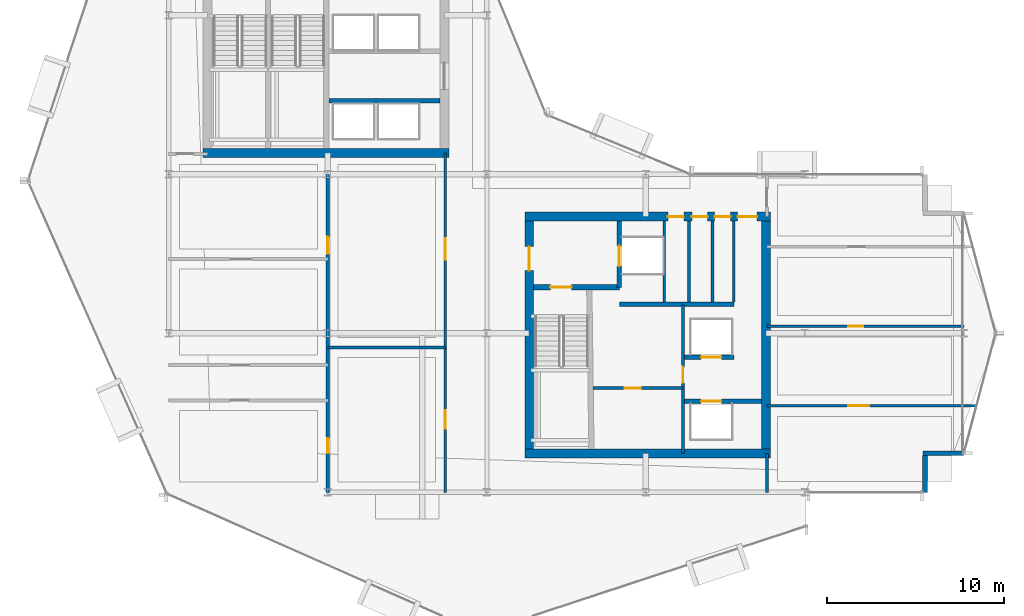
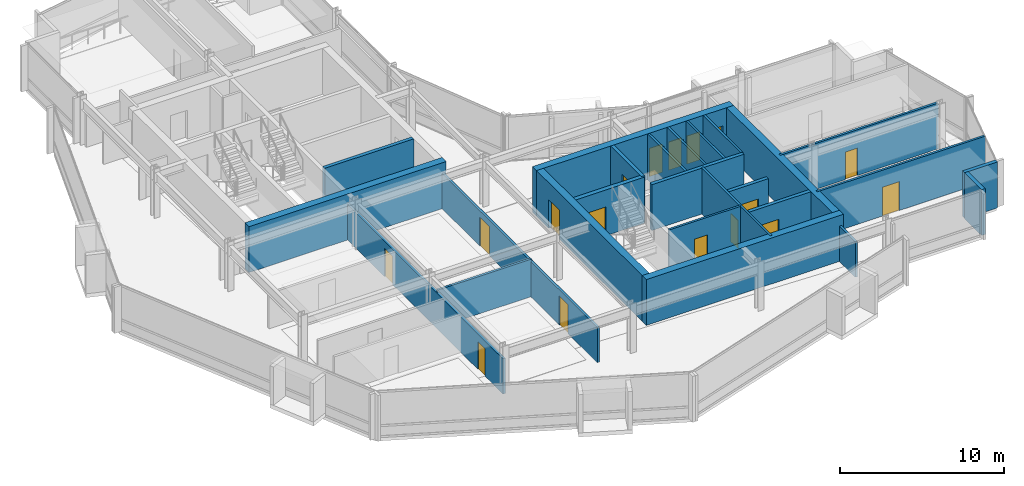
# One storey, part 22 of 29: 25 walls, 17 doors, 17 openings.
"""IFC4 building model written with IfcOpenShell, lengths in metres."""

from ifc_helpers import new_model, si_unit, direction, frame, frame_2d, origin, place, context, subcontext, project, spatial, rectangle, extrude, material, layer, layer_set, type_object, element, fill, save


model = new_model("IFC4")

# Units and contexts
model_context = context("Model", 3, precision=1e-05, world=origin(), true_north=direction((0.0, 1.0)))
body_context = subcontext(model_context, "Body", "Model", "MODEL_VIEW")
ifc_project = project(units=[si_unit("LENGTHUNIT", "METRE"), si_unit("AREAUNIT", "SQUARE_METRE"), si_unit("VOLUMEUNIT", "CUBIC_METRE"), si_unit("PLANEANGLEUNIT", "RADIAN"), si_unit("MASSUNIT", "GRAM", prefix="KILO")], contexts=[model_context])

# Site, building, storey
site_placement = place(None, origin())
site = spatial("IfcSite", under=ifc_project, at=site_placement, CompositionType="ELEMENT")
building_placement = place(site_placement, origin())
building = spatial("IfcBuilding", under=site, at=building_placement, Name="Solvaryn Broadcast Tower", CompositionType="ELEMENT")
storey_placement = place(building_placement, frame((0.0, 0.0, 147.0)))
storey = spatial("IfcBuildingStorey", under=building, at=storey_placement, Name="L36", CompositionType="ELEMENT", Elevation=147.0)

# Walls
ifc_material_1 = material(Name="Concrete f'c 70 MPa", Category="concrete")
ifc_layer_1 = layer(ifc_material_1, 0.5)
ifc_layer_set_1 = layer_set([ifc_layer_1], Name="CW-SHEAR-500")
wall_type_1 = type_object("IfcWallType", Name="CW-SHEAR-500", PredefinedType="SHEAR", material=ifc_layer_set_1)
for number, where, z_axis, x_axis, name in (
    (1, (10.949951171875, 28.199951171875, 0.0), (0.0, 0.0, 1.0), (1.0, 0.0, 0.0), "L36 West Core South Shear Wall"),
    (2, (29.14990234375, 11.199951171875, 0.0), (0.0, 0.0, 1.0), (1.0, 0.0, 0.0), "L36 East Core South Shear Wall"),
):
    element("IfcWall", number, at=place(storey_placement, frame(where, z_axis=z_axis, x_axis=x_axis)), inside=storey, type_object=wall_type_1, Name=name, PredefinedType="SHEAR", context=body_context, shape_type="SweptSolid", body=[
        extrude(rectangle(XDim=13.900146484375, YDim=0.5, at=frame_2d((6.9501953125, 0.0))), origin(), (0.0, 0.0, 1.0), 3.419921875),
    ])

# Wall, openings, doors
wall_1_placement = place(storey_placement, frame((43.050048828125, 24.60009765625, 0.0), z_axis=(0.0, 0.0, 1.0), x_axis=(-1.0, 0.0, 0.0)))
wall_1 = element("IfcWall", 3, at=wall_1_placement, inside=storey, type_object=wall_type_1, Name="L36 East Core North Shear Wall", PredefinedType="SHEAR", context=body_context, shape_type="SweptSolid", body=[
    extrude(rectangle(XDim=13.900146484375, YDim=0.5, at=frame_2d((6.9501953125, 0.0))), origin(), (0.0, 0.0, 1.0), 3.419921875),
])
opening_1_placement = place(wall_1_placement, frame((0.75, 0.0, 0.0)))
opening_1 = element("IfcOpeningElement", 4, at=opening_1_placement, cuts=wall_1, Name="Opening FD90C", PredefinedType="OPENING", context=body_context, shape_type="SweptSolid", body=[
    extrude(rectangle(XDim=1.10009765625, YDim=2.14990234375, at=frame_2d((0.550048828125, 1.074951171875))), frame((0.0, 0.260009765625, 0.0), z_axis=(0.0, -1.0, 0.0), x_axis=(1.0, 0.0, 0.0)), (0.0, 0.0, 1.0), 0.52001953125),
])
opening_2_placement = place(wall_1_placement, frame((2.25, 0.0, 0.0)))
opening_2 = element("IfcOpeningElement", 5, at=opening_2_placement, cuts=wall_1, Name="Opening FD60C", PredefinedType="OPENING", context=body_context, shape_type="SweptSolid", body=[
    extrude(rectangle(XDim=0.89990234375, YDim=2.10009765625, at=frame_2d((0.449951171875, 1.050048828125))), frame((0.0, 0.260009765625, 0.0), z_axis=(0.0, -1.0, 0.0), x_axis=(1.0, 0.0, 0.0)), (0.0, 0.0, 1.0), 0.52001953125),
])
opening_3_placement = place(wall_1_placement, frame((3.550048828125, 0.0, 0.0)))
opening_3 = element("IfcOpeningElement", 6, at=opening_3_placement, cuts=wall_1, Name="Opening FD60C", PredefinedType="OPENING", context=body_context, shape_type="SweptSolid", body=[
    extrude(rectangle(XDim=0.89990234375, YDim=2.10009765625, at=frame_2d((0.449951171875, 1.050048828125))), frame((0.0, 0.260009765625, 0.0), z_axis=(0.0, -1.0, 0.0), x_axis=(1.0, 0.0, 0.0)), (0.0, 0.0, 1.0), 0.52001953125),
])
opening_4_placement = place(wall_1_placement, frame((4.89990234375, 0.0, 0.0)))
opening_4 = element("IfcOpeningElement", 7, at=opening_4_placement, cuts=wall_1, Name="Opening FD60C", PredefinedType="OPENING", context=body_context, shape_type="SweptSolid", body=[
    extrude(rectangle(XDim=0.89990234375, YDim=2.10009765625, at=frame_2d((0.449951171875, 1.050048828125))), frame((0.0, 0.260009765625, 0.0), z_axis=(0.0, -1.0, 0.0), x_axis=(1.0, 0.0, 0.0)), (0.0, 0.0, 1.0), 0.52001953125),
])
ifc_material_2 = material(Name="Flush Acoustic Steel and Timber Door Assembly", Category="steel")
door_type_1 = type_object("IfcDoorType", Name="FD60-SERV-900X2100", OperationType="NOTDEFINED", PredefinedType="DOOR", material=ifc_material_2)
door_1_placement = place(opening_2_placement, origin())
door_1 = element("IfcDoor", 8, at=door_1_placement, inside=storey, type_object=door_type_1, Name="L36 Core Wellness Room Door", OperationType="SINGLE_SWING_RIGHT", OverallHeight=2.10009765625, OverallWidth=0.89990234375, PredefinedType="DOOR", context=body_context, shape_type="SweptSolid", body=[
    extrude(rectangle(XDim=0.89990234375, YDim=2.10009765625, at=frame_2d((0.449951171875, 1.050048828125))), frame((0.0, 0.02490234375, 0.0), z_axis=(0.0, -1.0, 0.0), x_axis=(1.0, 0.0, 0.0)), (0.0, 0.0, 1.0), 0.050048828125),
])
fill(opening_2, door_1)
door_2_placement = place(opening_3_placement, origin())
door_2 = element("IfcDoor", 9, at=door_2_placement, inside=storey, type_object=door_type_1, Name="L36 Staff Restroom Door", OperationType="SINGLE_SWING_LEFT", OverallHeight=2.10009765625, OverallWidth=0.89990234375, PredefinedType="DOOR", context=body_context, shape_type="SweptSolid", body=[
    extrude(rectangle(XDim=0.89990234375, YDim=2.10009765625, at=frame_2d((0.449951171875, 1.050048828125))), frame((0.0, 0.02490234375, 0.0), z_axis=(0.0, -1.0, 0.0), x_axis=(1.0, 0.0, 0.0)), (0.0, 0.0, 1.0), 0.050048828125),
])
fill(opening_3, door_2)
door_3_placement = place(opening_4_placement, origin())
door_3 = element("IfcDoor", 10, at=door_3_placement, inside=storey, type_object=door_type_1, Name="L36 Accessible WC Door", OperationType="SINGLE_SWING_RIGHT", OverallHeight=2.10009765625, OverallWidth=0.89990234375, PredefinedType="DOOR", context=body_context, shape_type="SweptSolid", body=[
    extrude(rectangle(XDim=0.89990234375, YDim=2.10009765625, at=frame_2d((0.449951171875, 1.050048828125))), frame((0.0, 0.02490234375, 0.0), z_axis=(0.0, -1.0, 0.0), x_axis=(1.0, 0.0, 0.0)), (0.0, 0.0, 1.0), 0.050048828125),
])
fill(opening_4, door_3)
ifc_material_3 = material(Name="Flush Acoustic Steel and Timber Door Assembly", Category="steel")
door_type_2 = type_object("IfcDoorType", Name="FD90-PLANT-1100X2150", OperationType="NOTDEFINED", PredefinedType="DOOR", material=ifc_material_3)
door_4_placement = place(opening_1_placement, origin())
door_4 = element("IfcDoor", 11, at=door_4_placement, inside=storey, type_object=door_type_2, Name="L36 East Core Lobby Corridor Door", OperationType="SINGLE_SWING_LEFT", OverallHeight=2.14990234375, OverallWidth=1.10009765625, PredefinedType="DOOR", context=body_context, shape_type="SweptSolid", body=[
    extrude(rectangle(XDim=1.10009765625, YDim=2.14990234375, at=frame_2d((0.550048828125, 1.074951171875))), frame((0.0, 0.02490234375, 0.0), z_axis=(0.0, -1.0, 0.0), x_axis=(1.0, 0.0, 0.0)), (0.0, 0.0, 1.0), 0.050048828125),
])
fill(opening_1, door_4)

# Wall, opening, door
wall_2_placement = place(storey_placement, frame((29.39990234375, 24.35009765625, 0.0), z_axis=(0.0, 0.0, 1.0), x_axis=(0.0, -1.0, 0.0)))
wall_2 = element("IfcWall", 12, at=wall_2_placement, inside=storey, type_object=wall_type_1, Name="L36 East Core West Shear Wall", PredefinedType="SHEAR", context=body_context, shape_type="SweptSolid", body=[
    extrude(rectangle(XDim=12.900146484375, YDim=0.5, at=frame_2d((6.4501953125, 0.0))), origin(), (0.0, 0.0, 1.0), 3.419921875),
])
opening_5_placement = place(wall_2_placement, frame((1.449951171875, 0.0, 0.0)))
opening_5 = element("IfcOpeningElement", 13, at=opening_5_placement, cuts=wall_2, Name="Opening FD90B", PredefinedType="OPENING", context=body_context, shape_type="SweptSolid", body=[
    extrude(rectangle(XDim=1.35009765625, YDim=2.14990234375, at=frame_2d((0.675048828125, 1.074951171875))), frame((0.0, 0.260009765625, 0.0), z_axis=(0.0, -1.0, 0.0), x_axis=(1.0, 0.0, 0.0)), (0.0, 0.0, 1.0), 0.52001953125),
])
ifc_material_4 = material(Name="Flush Acoustic Steel and Timber Door Assembly", Category="steel")
door_type_3 = type_object("IfcDoorType", Name="FD90-LOBBY-1350X2150", OperationType="NOTDEFINED", PredefinedType="DOOR", material=ifc_material_4)
door_5_placement = place(opening_5_placement, origin())
door_5 = element("IfcDoor", 14, at=door_5_placement, inside=storey, type_object=door_type_3, Name="L36 East FSAE Lobby Door", OperationType="SINGLE_SWING_RIGHT", OverallHeight=2.14990234375, OverallWidth=1.35009765625, PredefinedType="DOOR", context=body_context, shape_type="SweptSolid", body=[
    extrude(rectangle(XDim=1.35009765625, YDim=2.14990234375, at=frame_2d((0.675048828125, 1.074951171875))), frame((0.0, 0.02490234375, 0.0), z_axis=(0.0, -1.0, 0.0), x_axis=(1.0, 0.0, 0.0)), (0.0, 0.0, 1.0), 0.050048828125),
])
fill(opening_5, door_5)

# Walls
wall_3_placement = place(storey_placement, frame((42.800048828125, 11.449951171875, 0.0), z_axis=(0.0, 0.0, 1.0), x_axis=(0.0, 1.0, 0.0)))
element("IfcWall", 15, at=wall_3_placement, inside=storey, type_object=wall_type_1, Name="L36 East Core East Shear Wall", PredefinedType="SHEAR", context=body_context, shape_type="SweptSolid", body=[
    extrude(rectangle(XDim=12.900146484375, YDim=0.5, at=frame_2d((6.4501953125, 0.0))), origin(), (0.0, 0.0, 1.0), 3.419921875),
])
ifc_material_5 = material(Name="Concrete f'c 50 MPa", Category="concrete")
ifc_layer_2 = layer(ifc_material_5, 0.260009765625)
ifc_layer_set_2 = layer_set([ifc_layer_2], Name="EW-PIER-260")
wall_type_2 = type_object("IfcWallType", Name="EW-PIER-260", PredefinedType="SOLIDWALL", material=ifc_layer_set_2)
wall_4_placement = place(storey_placement, frame((51.800048828125, 9.0, 0.0), z_axis=(0.0, 0.0, 1.0), x_axis=(0.0, 1.0, 0.0)))
element("IfcWall", 16, at=wall_4_placement, inside=storey, type_object=wall_type_2, Name="L36 Notched Corner Pier Wall NSE1", PredefinedType="SOLIDWALL", context=body_context, shape_type="SweptSolid", body=[
    extrude(rectangle(XDim=2.080078125, YDim=0.260009765625, at=frame_2d((1.0400390625, 0.0))), origin(), (0.0, 0.0, 1.0), 3.419921875),
])
wall_5_placement = place(storey_placement, frame((51.679931640625, 11.199951171875, 0.0), z_axis=(0.0, 0.0, 1.0), x_axis=(1.0, 0.0, 0.0)))
element("IfcWall", 17, at=wall_5_placement, inside=storey, type_object=wall_type_2, Name="L36 Notched Corner Pier Wall NSE2", PredefinedType="SOLIDWALL", context=body_context, shape_type="SweptSolid", body=[
    extrude(rectangle(XDim=2.320068359375, YDim=0.260009765625, at=frame_2d((1.16015625, 0.0))), origin(), (0.0, 0.0, 1.0), 3.419921875),
])

# Wall, opening, door
ifc_material_6 = material(Name="Metal-Stud Service Core Partition")
ifc_layer_3 = layer(ifc_material_6, 0.14990234375)
ifc_layer_set_3 = layer_set([ifc_layer_3], Name="IW-PART-150")
wall_type_3 = type_object("IfcWallType", Name="IW-PART-150", PredefinedType="PARTITIONING", material=ifc_layer_set_3)
wall_6_placement = place(storey_placement, frame((33.0, 14.89990234375, 0.0), z_axis=(0.0, 0.0, 1.0), x_axis=(1.0, 0.0, 0.0)))
wall_6 = element("IfcWall", 18, at=wall_6_placement, inside=storey, type_object=wall_type_3, Name="L36 Interior Partition IW-L36-RPL-H", PredefinedType="PARTITIONING", context=body_context, shape_type="SweptSolid", body=[
    extrude(rectangle(XDim=5.10009765625, YDim=0.14990234375, at=frame_2d((2.550048828125, 0.0))), origin(), (0.0, 0.0, 1.0), 3.419921875),
])
opening_6_placement = place(wall_6_placement, frame((1.800048828125, 0.0, 0.0)))
opening_6 = element("IfcOpeningElement", 19, at=opening_6_placement, cuts=wall_6, Name="Opening FD60C", PredefinedType="OPENING", context=body_context, shape_type="SweptSolid", body=[
    extrude(rectangle(XDim=0.89990234375, YDim=2.10009765625, at=frame_2d((0.449951171875, 1.050048828125))), frame((0.0, 0.0849609375, 0.0), z_axis=(0.0, -1.0, 0.0), x_axis=(1.0, 0.0, 0.0)), (0.0, 0.0, 1.0), 0.169921875),
])
door_6_placement = place(opening_6_placement, origin())
door_6 = element("IfcDoor", 20, at=door_6_placement, inside=storey, type_object=door_type_1, Name="L36 Door DR-L36-RPL1", OperationType="SINGLE_SWING_LEFT", OverallHeight=2.10009765625, OverallWidth=0.89990234375, PredefinedType="DOOR", context=body_context, shape_type="SweptSolid", body=[
    extrude(rectangle(XDim=0.89990234375, YDim=2.10009765625, at=frame_2d((0.449951171875, 1.050048828125))), frame((0.0, 0.02490234375, 0.0), z_axis=(0.0, -1.0, 0.0), x_axis=(1.0, 0.0, 0.0)), (0.0, 0.0, 1.0), 0.050048828125),
])
fill(opening_6, door_6)

wall_7_placement = place(storey_placement, frame((38.10009765625, 11.199951171875, 0.0), z_axis=(0.0, 0.0, 1.0), x_axis=(0.0, 1.0, 0.0)))
wall_7 = element("IfcWall", 21, at=wall_7_placement, inside=storey, type_object=wall_type_3, Name="L36 Interior Partition IW-L36-RPL-E", PredefinedType="PARTITIONING", context=body_context, shape_type="SweptSolid", body=[
    extrude(rectangle(XDim=8.400146484375, YDim=0.14990234375, at=frame_2d((4.2001953125, 0.0))), origin(), (0.0, 0.0, 1.0), 3.419921875),
])
opening_7_placement = place(wall_7_placement, frame((4.0, 0.0, 0.0)))
opening_7 = element("IfcOpeningElement", 22, at=opening_7_placement, cuts=wall_7, Name="Opening FD60C", PredefinedType="OPENING", context=body_context, shape_type="SweptSolid", body=[
    extrude(rectangle(XDim=0.89990234375, YDim=2.10009765625, at=frame_2d((0.449951171875, 1.050048828125))), frame((0.0, 0.0849609375, 0.0), z_axis=(0.0, -1.0, 0.0), x_axis=(1.0, 0.0, 0.0)), (0.0, 0.0, 1.0), 0.169921875),
])
door_7_placement = place(opening_7_placement, origin())
door_7 = element("IfcDoor", 23, at=door_7_placement, inside=storey, type_object=door_type_1, Name="L36 Door DR-L36-RPL2", OperationType="SINGLE_SWING_RIGHT", OverallHeight=2.10009765625, OverallWidth=0.89990234375, PredefinedType="DOOR", context=body_context, shape_type="SweptSolid", body=[
    extrude(rectangle(XDim=0.89990234375, YDim=2.10009765625, at=frame_2d((0.449951171875, 1.050048828125))), frame((0.0, 0.02490234375, 0.0), z_axis=(0.0, -1.0, 0.0), x_axis=(1.0, 0.0, 0.0)), (0.0, 0.0, 1.0), 0.050048828125),
])
fill(opening_7, door_7)

# Walls
for number, where, z_axis, x_axis, name in (
    (24, (37.050048828125, 19.780029296875, 0.0), (0.0, 0.0, 1.0), (0.0, 1.0, 0.0), "L36 Interior Partition IW-L36-CE-FL2E"),
    (25, (38.43994140625, 19.780029296875, 0.0), (0.0, 0.0, 1.0), (0.0, 1.0, 0.0), "L36 Interior Partition IW-L36-CE-V1"),
    (26, (39.77001953125, 19.780029296875, 0.0), (0.0, 0.0, 1.0), (0.0, 1.0, 0.0), "L36 Interior Partition IW-L36-CE-V2"),
    (27, (40.97998046875, 19.780029296875, 0.0), (0.0, 0.0, 1.0), (0.0, 1.0, 0.0), "L36 Interior Partition IW-L36-CE-V3"),
):
    element("IfcWall", number, at=place(storey_placement, frame(where, z_axis=z_axis, x_axis=x_axis)), inside=storey, type_object=wall_type_3, Name=name, PredefinedType="PARTITIONING", context=body_context, shape_type="SweptSolid", body=[
        extrude(rectangle(XDim=4.570068359375, YDim=0.14990234375, at=frame_2d((2.28515625, 0.0))), origin(), (0.0, 0.0, 1.0), 3.419921875),
    ])

# Wall, openings, doors
ifc_material_7 = material(Name="Metal-Stud Gypsum Office Partition")
ifc_layer_4 = layer(ifc_material_7, 0.159912109375)
ifc_layer_set_4 = layer_set([ifc_layer_4], Name="IW-PART-160")
wall_type_4 = type_object("IfcWallType", Name="IW-PART-160", PredefinedType="PARTITIONING", material=ifc_layer_set_4)
wall_8_placement = place(storey_placement, frame((24.64990234375, 9.0, 0.0), z_axis=(0.0, 0.0, 1.0), x_axis=(0.0, 1.0, 0.0)))
wall_8 = element("IfcWall", 28, at=wall_8_placement, inside=storey, type_object=wall_type_4, Name="L36 Interior Partition IW-L36-SW-EB", PredefinedType="PARTITIONING", context=body_context, shape_type="SweptSolid", body=[
    extrude(rectangle(XDim=19.199951171875, YDim=0.159912109375, at=frame_2d((9.60009765625, 0.0))), origin(), (0.0, 0.0, 1.0), 2.634033203125),
])
opening_8_placement = place(wall_8_placement, frame((3.60009765625, 0.0, 0.0)))
opening_8 = element("IfcOpeningElement", 29, at=opening_8_placement, cuts=wall_8, Name="Opening ID03", PredefinedType="OPENING", context=body_context, shape_type="SweptSolid", body=[
    extrude(rectangle(XDim=1.050048828125, YDim=2.14990234375, at=frame_2d((0.52490234375, 1.074951171875))), frame((0.0, 0.090087890625, 0.0), z_axis=(0.0, -1.0, 0.0), x_axis=(1.0, 0.0, 0.0)), (0.0, 0.0, 1.0), 0.179931640625),
])
opening_9_placement = place(wall_8_placement, frame((13.1650390625, 0.0, 0.0)))
opening_9 = element("IfcOpeningElement", 30, at=opening_9_placement, cuts=wall_8, Name="Opening ID04", PredefinedType="OPENING", context=body_context, shape_type="SweptSolid", body=[
    extrude(rectangle(XDim=1.199951171875, YDim=2.14990234375, at=frame_2d((0.60009765625, 1.074951171875))), frame((0.0, 0.090087890625, 0.0), z_axis=(0.0, -1.0, 0.0), x_axis=(1.0, 0.0, 0.0)), (0.0, 0.0, 1.0), 0.179931640625),
])
ifc_material_8 = material(Name="Flush Acoustic Steel and Timber Door Assembly", Category="steel")
door_type_4 = type_object("IfcDoorType", Name="ID-03-1050X2150", OperationType="NOTDEFINED", PredefinedType="DOOR", material=ifc_material_8)
door_8_placement = place(opening_8_placement, origin())
door_8 = element("IfcDoor", 31, at=door_8_placement, inside=storey, type_object=door_type_4, Name="L36 Door DR-L36-SWE-1", OperationType="SINGLE_SWING_RIGHT", OverallHeight=2.14990234375, OverallWidth=1.050048828125, PredefinedType="DOOR", context=body_context, shape_type="SweptSolid", body=[
    extrude(rectangle(XDim=1.050048828125, YDim=2.14990234375, at=frame_2d((0.52490234375, 1.074951171875))), frame((0.0, 0.02490234375, 0.0), z_axis=(0.0, -1.0, 0.0), x_axis=(1.0, 0.0, 0.0)), (0.0, 0.0, 1.0), 0.050048828125),
])
fill(opening_8, door_8)
ifc_material_9 = material(Name="Flush Acoustic Steel and Timber Door Assembly", Category="steel")
door_type_5 = type_object("IfcDoorType", Name="ID-04-1200X2150", OperationType="NOTDEFINED", PredefinedType="DOOR", material=ifc_material_9)
door_9_placement = place(opening_9_placement, origin())
door_9 = element("IfcDoor", 32, at=door_9_placement, inside=storey, type_object=door_type_5, Name="L36 Door DR-L36-SWE-2", OperationType="SINGLE_SWING_LEFT", OverallHeight=2.14990234375, OverallWidth=1.199951171875, PredefinedType="DOOR", context=body_context, shape_type="SweptSolid", body=[
    extrude(rectangle(XDim=1.199951171875, YDim=2.14990234375, at=frame_2d((0.60009765625, 1.074951171875))), frame((0.0, 0.02490234375, 0.0), z_axis=(0.0, -1.0, 0.0), x_axis=(1.0, 0.0, 0.0)), (0.0, 0.0, 1.0), 0.050048828125),
])
fill(opening_9, door_9)

# Walls
wall_9_placement = place(storey_placement, frame((18.0, 17.199951171875, 0.0), z_axis=(0.0, 0.0, 1.0), x_axis=(1.0, 0.0, 0.0)))
element("IfcWall", 33, at=wall_9_placement, inside=storey, type_object=wall_type_4, Name="L36 Interior Partition IW-L36-SWE-H1", PredefinedType="PARTITIONING", context=body_context, shape_type="SweptSolid", body=[
    extrude(rectangle(XDim=6.64990234375, YDim=0.159912109375, at=frame_2d((3.324951171875, 0.0))), origin(), (0.0, 0.0, 1.0), 2.7890625),
])
wall_10_placement = place(storey_placement, frame((42.85009765625, 9.0, 0.0), z_axis=(0.0, 0.0, 1.0), x_axis=(0.0, 1.0, 0.0)))
element("IfcWall", 34, at=wall_10_placement, inside=storey, type_object=wall_type_4, Name="L36 Interior Partition IW-L36-SC-E", PredefinedType="PARTITIONING", context=body_context, shape_type="SweptSolid", body=[
    extrude(rectangle(XDim=2.199951171875, YDim=0.159912109375, at=frame_2d((1.10009765625, 0.0))), origin(), (0.0, 0.0, 1.0), 2.634033203125),
])

# Wall, opening, door
wall_11_placement = place(storey_placement, frame((42.85009765625, 13.89990234375, 0.0), z_axis=(0.0, 0.0, 1.0), x_axis=(1.0, 0.0, 0.0)))
wall_11 = element("IfcWall", 35, at=wall_11_placement, inside=storey, type_object=wall_type_4, Name="L36 Interior Partition IW-L36-EW-H1", PredefinedType="PARTITIONING", context=body_context, shape_type="SweptSolid", body=[
    extrude(rectangle(XDim=11.864990234375, YDim=0.159912109375, at=frame_2d((5.9326171875, 0.0))), origin(), (0.0, 0.0, 1.0), 3.419921875),
])
opening_10_placement = place(wall_11_placement, frame((4.60009765625, 0.0, 0.0)))
opening_10 = element("IfcOpeningElement", 36, at=opening_10_placement, cuts=wall_11, Name="Opening ID04", PredefinedType="OPENING", context=body_context, shape_type="SweptSolid", body=[
    extrude(rectangle(XDim=1.199951171875, YDim=2.14990234375, at=frame_2d((0.60009765625, 1.074951171875))), frame((0.0, 0.090087890625, 0.0), z_axis=(0.0, -1.0, 0.0), x_axis=(1.0, 0.0, 0.0)), (0.0, 0.0, 1.0), 0.179931640625),
])
door_10_placement = place(opening_10_placement, origin())
door_10 = element("IfcDoor", 37, at=door_10_placement, inside=storey, type_object=door_type_5, Name="L36 Door DR-L36-EW-1", OperationType="SINGLE_SWING_LEFT", OverallHeight=2.14990234375, OverallWidth=1.199951171875, PredefinedType="DOOR", context=body_context, shape_type="SweptSolid", body=[
    extrude(rectangle(XDim=1.199951171875, YDim=2.14990234375, at=frame_2d((0.60009765625, 1.074951171875))), frame((0.0, 0.02490234375, 0.0), z_axis=(0.0, -1.0, 0.0), x_axis=(1.0, 0.0, 0.0)), (0.0, 0.0, 1.0), 0.050048828125),
])
fill(opening_10, door_10)

wall_12_placement = place(storey_placement, frame((42.85009765625, 18.39990234375, 0.0), z_axis=(0.0, 0.0, 1.0), x_axis=(1.0, 0.0, 0.0)))
wall_12 = element("IfcWall", 38, at=wall_12_placement, inside=storey, type_object=wall_type_4, Name="L36 Interior Partition IW-L36-EW-H2", PredefinedType="PARTITIONING", context=body_context, shape_type="SweptSolid", body=[
    extrude(rectangle(XDim=11.14990234375, YDim=0.159912109375, at=frame_2d((5.574951171875, 0.0))), origin(), (0.0, 0.0, 1.0), 3.419921875),
])
opening_11_placement = place(wall_12_placement, frame((4.60009765625, 0.0, 0.0)))
opening_11 = element("IfcOpeningElement", 39, at=opening_11_placement, cuts=wall_12, Name="Opening ID07", PredefinedType="OPENING", context=body_context, shape_type="SweptSolid", body=[
    extrude(rectangle(XDim=0.860107421875, YDim=2.050048828125, at=frame_2d((0.43017578125, 1.02490234375))), frame((0.0, 0.090087890625, 0.0), z_axis=(0.0, -1.0, 0.0), x_axis=(1.0, 0.0, 0.0)), (0.0, 0.0, 1.0), 0.179931640625),
])
ifc_material_10 = material(Name="Flush Acoustic Steel and Timber Door Assembly", Category="steel")
door_type_6 = type_object("IfcDoorType", Name="ID-07-860X2050", OperationType="NOTDEFINED", PredefinedType="DOOR", material=ifc_material_10)
door_11_placement = place(opening_11_placement, origin())
door_11 = element("IfcDoor", 40, at=door_11_placement, inside=storey, type_object=door_type_6, Name="L36 Door DR-L36-EW-2", OperationType="SINGLE_SWING_RIGHT", OverallHeight=2.050048828125, OverallWidth=0.860107421875, PredefinedType="DOOR", context=body_context, shape_type="SweptSolid", body=[
    extrude(rectangle(XDim=0.860107421875, YDim=2.050048828125, at=frame_2d((0.43017578125, 1.02490234375))), frame((0.0, 0.02490234375, 0.0), z_axis=(0.0, -1.0, 0.0), x_axis=(1.0, 0.0, 0.0)), (0.0, 0.0, 1.0), 0.050048828125),
])
fill(opening_11, door_11)

# Wall, openings, doors
ifc_material_11 = material(Name="Acoustic Metal-Stud Gypsum Partition")
ifc_layer_5 = layer(ifc_material_11, 0.179931640625)
ifc_layer_set_5 = layer_set([ifc_layer_5], Name="IW-PART-180")
wall_type_5 = type_object("IfcWallType", Name="IW-PART-180", PredefinedType="PARTITIONING", material=ifc_layer_set_5)
wall_13_placement = place(storey_placement, frame((18.0, 9.0, 0.0), z_axis=(0.0, 0.0, 1.0), x_axis=(0.0, 1.0, 0.0)))
wall_13 = element("IfcWall", 41, at=wall_13_placement, inside=storey, type_object=wall_type_5, Name="L36 Interior Partition IW-L36-SW-VX", PredefinedType="PARTITIONING", context=body_context, shape_type="SweptSolid", body=[
    extrude(rectangle(XDim=19.1298828125, YDim=0.179931640625, at=frame_2d((9.56494140625, 0.0))), origin(), (0.0, 0.0, 1.0), 2.634033203125),
])
opening_12_placement = place(wall_13_placement, frame((2.199951171875, 0.0, 0.0)))
opening_12 = element("IfcOpeningElement", 42, at=opening_12_placement, cuts=wall_13, Name="Opening ID07", PredefinedType="OPENING", context=body_context, shape_type="SweptSolid", body=[
    extrude(rectangle(XDim=0.860107421875, YDim=2.050048828125, at=frame_2d((0.43017578125, 1.02490234375))), frame((0.0, 0.099853515625, 0.0), z_axis=(0.0, -1.0, 0.0), x_axis=(1.0, 0.0, 0.0)), (0.0, 0.0, 1.0), 0.199951171875),
])
opening_13_placement = place(wall_13_placement, frame((13.5, 0.0, 0.0)))
opening_13 = element("IfcOpeningElement", 43, at=opening_13_placement, cuts=wall_13, Name="Opening ID01", PredefinedType="OPENING", context=body_context, shape_type="SweptSolid", body=[
    extrude(rectangle(XDim=0.949951171875, YDim=2.10009765625, at=frame_2d((0.47509765625, 1.050048828125))), frame((0.0, 0.099853515625, 0.0), z_axis=(0.0, -1.0, 0.0), x_axis=(1.0, 0.0, 0.0)), (0.0, 0.0, 1.0), 0.199951171875),
])
ifc_material_12 = material(Name="Flush Acoustic Steel and Timber Door Assembly", Category="steel")
door_type_7 = type_object("IfcDoorType", Name="ID-01-950X2100", OperationType="NOTDEFINED", PredefinedType="DOOR", material=ifc_material_12)
door_12_placement = place(opening_13_placement, origin())
door_12 = element("IfcDoor", 44, at=door_12_placement, inside=storey, type_object=door_type_7, Name="L36 Door DR-L36-SWW-X2", OperationType="SINGLE_SWING_LEFT", OverallHeight=2.10009765625, OverallWidth=0.949951171875, PredefinedType="DOOR", context=body_context, shape_type="SweptSolid", body=[
    extrude(rectangle(XDim=0.949951171875, YDim=2.10009765625, at=frame_2d((0.47509765625, 1.050048828125))), frame((0.0, 0.02490234375, 0.0), z_axis=(0.0, -1.0, 0.0), x_axis=(1.0, 0.0, 0.0)), (0.0, 0.0, 1.0), 0.050048828125),
])
fill(opening_13, door_12)
door_13_placement = place(opening_12_placement, origin())
door_13 = element("IfcDoor", 45, at=door_13_placement, inside=storey, type_object=door_type_6, Name="L36 Door DR-L36-SWW-X1", OperationType="SINGLE_SWING_RIGHT", OverallHeight=2.050048828125, OverallWidth=0.860107421875, PredefinedType="DOOR", context=body_context, shape_type="SweptSolid", body=[
    extrude(rectangle(XDim=0.860107421875, YDim=2.050048828125, at=frame_2d((0.43017578125, 1.02490234375))), frame((0.0, 0.02490234375, 0.0), z_axis=(0.0, -1.0, 0.0), x_axis=(1.0, 0.0, 0.0)), (0.0, 0.0, 1.0), 0.050048828125),
])
fill(opening_12, door_13)

# Wall
ifc_material_13 = material(Name="Concrete f'c 60 MPa", Category="concrete")
ifc_layer_6 = layer(ifc_material_13, 0.25)
ifc_layer_set_6 = layer_set([ifc_layer_6], Name="SW-SHAFT-250")
wall_type_6 = type_object("IfcWallType", Name="SW-SHAFT-250", PredefinedType="PARTITIONING", material=ifc_layer_set_6)
wall_14_placement = place(storey_placement, frame((18.070068359375, 31.14990234375, 0.0), z_axis=(0.0, 0.0, 1.0), x_axis=(1.0, 0.0, 0.0)))
element("IfcWall", 46, at=wall_14_placement, inside=storey, type_object=wall_type_6, Name="L36 High-Rise Lift Bank South Wall", PredefinedType="PARTITIONING", context=body_context, shape_type="SweptSolid", body=[
    extrude(rectangle(XDim=6.280029296875, YDim=0.25, at=frame_2d((3.14013671875, 0.0))), origin(), (0.0, 0.0, 1.0), 3.419921875),
])

# Wall, opening, door
wall_15_placement = place(storey_placement, frame((34.5, 20.60009765625, 0.0), z_axis=(0.0, 0.0, 1.0), x_axis=(0.0, 1.0, 0.0)))
wall_15 = element("IfcWall", 47, at=wall_15_placement, inside=storey, type_object=wall_type_6, Name="L36 East FSAE Lobby East Wall", PredefinedType="PARTITIONING", context=body_context, shape_type="SweptSolid", body=[
    extrude(rectangle(XDim=3.75, YDim=0.25, at=frame_2d((1.875, 0.0))), origin(), (0.0, 0.0, 1.0), 3.419921875),
])
opening_14_placement = place(wall_15_placement, frame((1.199951171875, 0.0, 0.0)))
opening_14 = element("IfcOpeningElement", 48, at=opening_14_placement, cuts=wall_15, Name="Opening LD01", PredefinedType="OPENING", context=body_context, shape_type="SweptSolid", body=[
    extrude(rectangle(XDim=1.14990234375, YDim=2.14990234375, at=frame_2d((0.574951171875, 1.074951171875))), frame((0.0, 0.135009765625, 0.0), z_axis=(0.0, -1.0, 0.0), x_axis=(1.0, 0.0, 0.0)), (0.0, 0.0, 1.0), 0.27001953125),
])
ifc_material_14 = material(Name="Flush Acoustic Steel and Timber Door Assembly", Category="steel")
door_type_8 = type_object("IfcDoorType", Name="LD-LIFT-1150X2150", OperationType="NOTDEFINED", PredefinedType="DOOR", material=ifc_material_14)
door_14_placement = place(opening_14_placement, origin())
door_14 = element("IfcDoor", 49, at=door_14_placement, inside=storey, type_object=door_type_8, Name="L36 FL2 Lift Landing Door", OperationType="DOUBLE_DOOR_SLIDING", OverallHeight=2.14990234375, OverallWidth=1.14990234375, PredefinedType="DOOR", context=body_context, shape_type="SweptSolid", body=[
    extrude(rectangle(XDim=1.14990234375, YDim=2.14990234375, at=frame_2d((0.574951171875, 1.074951171875))), frame((0.0, 0.02490234375, 0.0), z_axis=(0.0, -1.0, 0.0), x_axis=(1.0, 0.0, 0.0)), (0.0, 0.0, 1.0), 0.050048828125),
])
fill(opening_14, door_14)

# Wall
wall_16_placement = place(storey_placement, frame((34.5, 19.64990234375, 0.0), z_axis=(0.0, 0.0, 1.0), x_axis=(1.0, 0.0, 0.0)))
element("IfcWall", 50, at=wall_16_placement, inside=storey, type_object=wall_type_6, Name="L36 East Core Restroom South Wall", PredefinedType="PARTITIONING", context=body_context, shape_type="SweptSolid", body=[
    extrude(rectangle(XDim=6.47998046875, YDim=0.25, at=frame_2d((3.239990234375, 0.0))), origin(), (0.0, 0.0, 1.0), 3.419921875),
])

# Wall, opening, door
wall_17_placement = place(storey_placement, frame((38.199951171875, 14.14990234375, 0.0), z_axis=(0.0, 0.0, 1.0), x_axis=(1.0, 0.0, 0.0)))
wall_17 = element("IfcWall", 51, at=wall_17_placement, inside=storey, type_object=wall_type_6, Name="L36 East Lift Bank South Wall", PredefinedType="PARTITIONING", context=body_context, shape_type="SweptSolid", body=[
    extrude(rectangle(XDim=4.35009765625, YDim=0.25, at=frame_2d((2.175048828125, 0.0))), origin(), (0.0, 0.0, 1.0), 3.419921875),
])
opening_15_placement = place(wall_17_placement, frame((0.925048828125, 0.0, 0.0)))
opening_15 = element("IfcOpeningElement", 52, at=opening_15_placement, cuts=wall_17, Name="Opening LD01", PredefinedType="OPENING", context=body_context, shape_type="SweptSolid", body=[
    extrude(rectangle(XDim=1.14990234375, YDim=2.14990234375, at=frame_2d((0.574951171875, 1.074951171875))), frame((0.0, 0.135009765625, 0.0), z_axis=(0.0, -1.0, 0.0), x_axis=(1.0, 0.0, 0.0)), (0.0, 0.0, 1.0), 0.27001953125),
])
door_15_placement = place(opening_15_placement, origin())
door_15 = element("IfcDoor", 53, at=door_15_placement, inside=storey, type_object=door_type_8, Name="L36 PM1 Lift Landing Door", OperationType="DOUBLE_DOOR_SLIDING", OverallHeight=2.14990234375, OverallWidth=1.14990234375, PredefinedType="DOOR", context=body_context, shape_type="SweptSolid", body=[
    extrude(rectangle(XDim=1.14990234375, YDim=2.14990234375, at=frame_2d((0.574951171875, 1.074951171875))), frame((0.0, 0.02490234375, 0.0), z_axis=(0.0, -1.0, 0.0), x_axis=(1.0, 0.0, 0.0)), (0.0, 0.0, 1.0), 0.050048828125),
])
fill(opening_15, door_15)

wall_18_placement = place(storey_placement, frame((40.97998046875, 16.64990234375, 0.0), z_axis=(0.0, 0.0, 1.0), x_axis=(-1.0, 0.0, 0.0)))
wall_18 = element("IfcWall", 54, at=wall_18_placement, inside=storey, type_object=wall_type_6, Name="L36 East Lift Bank North Wall", PredefinedType="PARTITIONING", context=body_context, shape_type="SweptSolid", body=[
    extrude(rectangle(XDim=2.780029296875, YDim=0.25, at=frame_2d((1.39013671875, 0.0))), origin(), (0.0, 0.0, 1.0), 3.419921875),
])
opening_16_placement = place(wall_18_placement, frame((0.705078125, 0.0, 0.0)))
opening_16 = element("IfcOpeningElement", 55, at=opening_16_placement, cuts=wall_18, Name="Opening LD01", PredefinedType="OPENING", context=body_context, shape_type="SweptSolid", body=[
    extrude(rectangle(XDim=1.14990234375, YDim=2.14990234375, at=frame_2d((0.574951171875, 1.074951171875))), frame((0.0, 0.135009765625, 0.0), z_axis=(0.0, -1.0, 0.0), x_axis=(1.0, 0.0, 0.0)), (0.0, 0.0, 1.0), 0.27001953125),
])
door_16_placement = place(opening_16_placement, origin())
door_16 = element("IfcDoor", 56, at=door_16_placement, inside=storey, type_object=door_type_8, Name="L36 PM2 Lift Landing Door", OperationType="DOUBLE_DOOR_SLIDING", OverallHeight=2.14990234375, OverallWidth=1.14990234375, PredefinedType="DOOR", context=body_context, shape_type="SweptSolid", body=[
    extrude(rectangle(XDim=1.14990234375, YDim=2.14990234375, at=frame_2d((0.574951171875, 1.074951171875))), frame((0.0, 0.02490234375, 0.0), z_axis=(0.0, -1.0, 0.0), x_axis=(1.0, 0.0, 0.0)), (0.0, 0.0, 1.0), 0.050048828125),
])
fill(opening_16, door_16)

ifc_material_15 = material(Name="Concrete f'c 70 MPa", Category="concrete")
ifc_layer_7 = layer(ifc_material_15, 0.300048828125)
ifc_layer_set_7 = layer_set([ifc_layer_7], Name="SW-SHAFT-300")
wall_type_7 = type_object("IfcWallType", Name="SW-SHAFT-300", PredefinedType="SHEAR", material=ifc_layer_set_7)
wall_19_placement = place(storey_placement, frame((34.5, 20.60009765625, 0.0), z_axis=(0.0, 0.0, 1.0), x_axis=(-1.0, 0.0, 0.0)))
wall_19 = element("IfcWall", 57, at=wall_19_placement, inside=storey, type_object=wall_type_7, Name="L36 East FSAE Lobby South Wall", PredefinedType="SHEAR", context=body_context, shape_type="SweptSolid", body=[
    extrude(rectangle(XDim=4.85009765625, YDim=0.300048828125, at=frame_2d((2.425048828125, 0.0))), origin(), (0.0, 0.0, 1.0), 3.419921875),
])
opening_17_placement = place(wall_19_placement, frame((2.699951171875, 0.0, 0.0)))
opening_17 = element("IfcOpeningElement", 58, at=opening_17_placement, cuts=wall_19, Name="Opening FD90A", PredefinedType="OPENING", context=body_context, shape_type="SweptSolid", body=[
    extrude(rectangle(XDim=1.199951171875, YDim=2.14990234375, at=frame_2d((0.60009765625, 1.074951171875))), frame((0.0, 0.159912109375, 0.0), z_axis=(0.0, -1.0, 0.0), x_axis=(1.0, 0.0, 0.0)), (0.0, 0.0, 1.0), 0.320068359375),
])
ifc_material_16 = material(Name="Flush Acoustic Steel and Timber Door Assembly", Category="steel")
door_type_9 = type_object("IfcDoorType", Name="FD90-STAIR-1200X2150", OperationType="NOTDEFINED", PredefinedType="DOOR", material=ifc_material_16)
door_17_placement = place(opening_17_placement, origin())
door_17 = element("IfcDoor", 59, at=door_17_placement, inside=storey, type_object=door_type_9, Name="L36 Stair 3 Fire Door", OperationType="SINGLE_SWING_LEFT", OverallHeight=2.14990234375, OverallWidth=1.199951171875, PredefinedType="DOOR", context=body_context, shape_type="SweptSolid", body=[
    extrude(rectangle(XDim=1.199951171875, YDim=2.14990234375, at=frame_2d((0.60009765625, 1.074951171875))), frame((0.0, 0.02490234375, 0.0), z_axis=(0.0, -1.0, 0.0), x_axis=(1.0, 0.0, 0.0)), (0.0, 0.0, 1.0), 0.050048828125),
])
fill(opening_17, door_17)

save(model, "model.ifc")
